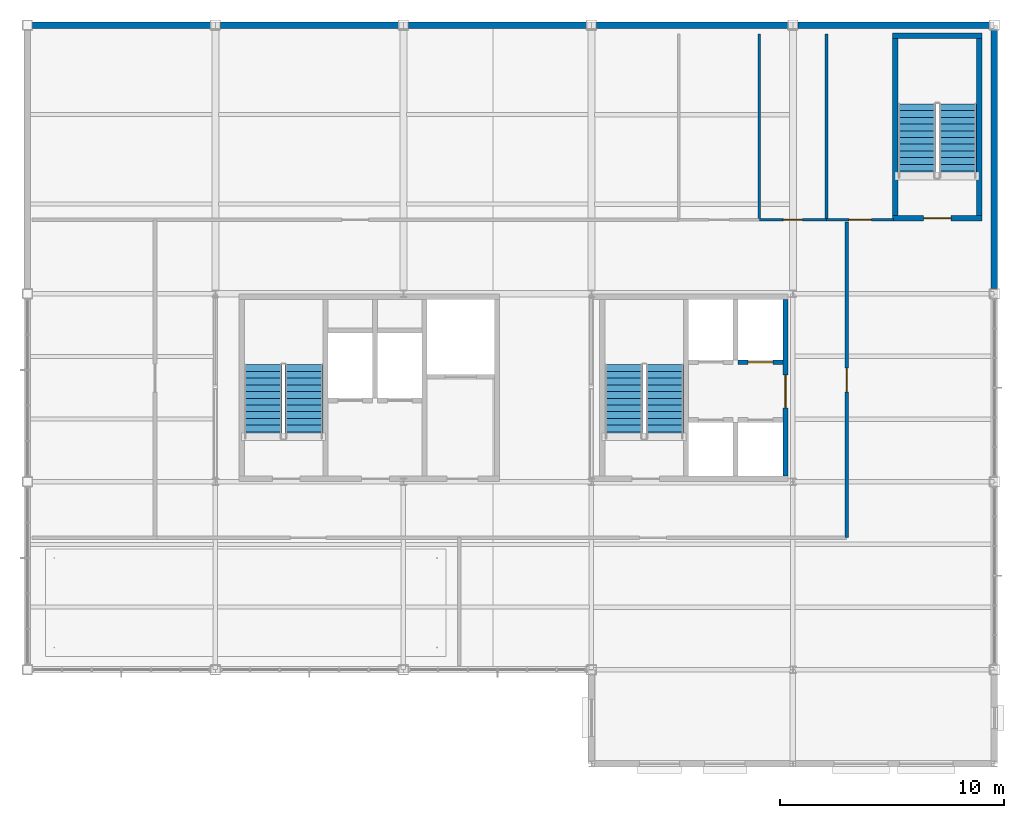
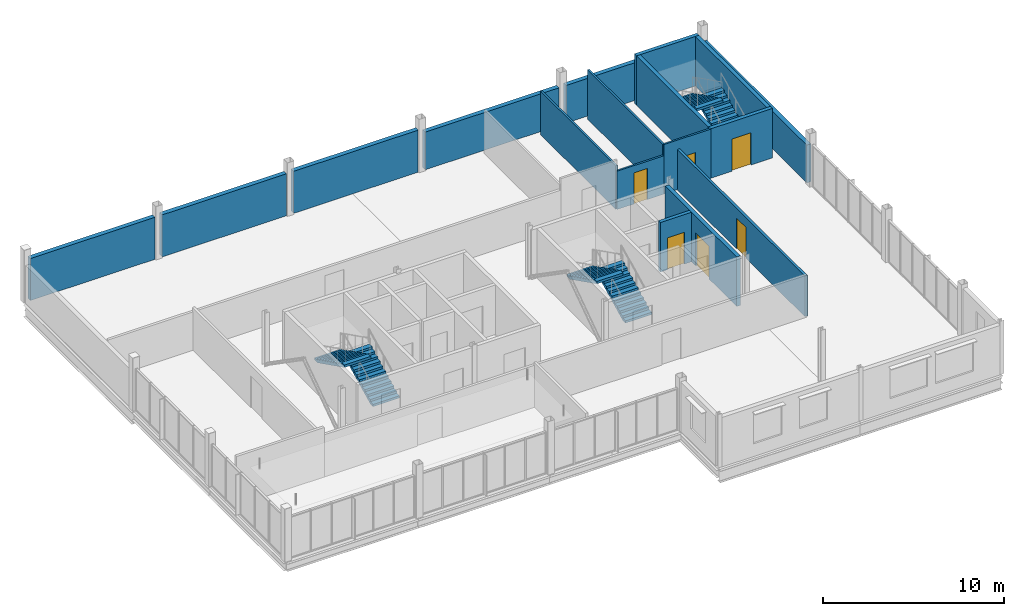
# One storey, part 15 of 19: 17 walls, 6 doors, 6 stair flights, 6 openings, 3 elements without a shape of their own.
"""IFC4 building model written with IfcOpenShell, lengths in metres."""

from ifc_helpers import new_model, si_unit, direction, frame, frame_2d, origin, place, context, subcontext, project, spatial, polyline, rectangle, outline, extrude, material, layer, layer_set, type_object, element, fill, aggregate, save


model = new_model("IFC4")

# Units and contexts
model_context = context("Model", 3, precision=1e-05, world=origin(), true_north=direction((0.0, 1.0)))
body_context = subcontext(model_context, "Body", "Model", "MODEL_VIEW")
ifc_project = project(units=[si_unit("LENGTHUNIT", "METRE"), si_unit("AREAUNIT", "SQUARE_METRE"), si_unit("VOLUMEUNIT", "CUBIC_METRE"), si_unit("PLANEANGLEUNIT", "RADIAN"), si_unit("MASSUNIT", "GRAM", prefix="KILO")], contexts=[model_context])

# Site, building, storey
site_placement = place(None, origin())
site = spatial("IfcSite", under=ifc_project, at=site_placement, CompositionType="ELEMENT")
building_placement = place(site_placement, origin())
building = spatial("IfcBuilding", under=site, at=building_placement, Name="Yukiwa Park Conservatory and Herbarium", CompositionType="ELEMENT")
storey_placement = place(building_placement, frame((0.0, 0.0, 46.800048828125)))
storey = spatial("IfcBuildingStorey", under=building, at=storey_placement, Name="L12", CompositionType="ELEMENT", Elevation=46.800048828125)

# Wall, opening, door
ifc_material_1 = material(Name="Concrete C40", Category="concrete")
ifc_layer_1 = layer(ifc_material_1, 0.219970703125)
ifc_layer_set_1 = layer_set([ifc_layer_1], Name="Concrete C40")
wall_type_1 = type_object("IfcWallType", Name="WL-CORE-RC220", PredefinedType="SHEAR", material=ifc_layer_set_1)
wall_1_placement = place(storey_placement, frame((156.550048828125, 100.139892578125, 0.0), z_axis=(0.0, 0.0, 1.0), x_axis=(1.0, 0.0, 0.0)))
wall_1 = element("IfcWall", 1, at=wall_1_placement, inside=storey, type_object=wall_type_1, Name="L12 core shear wall 722", PredefinedType="SHEAR", context=body_context, shape_type="SweptSolid", body=[
    extrude(rectangle(XDim=2.0, YDim=0.219970703125, at=frame_2d((1.0, 0.0))), origin(), (0.0, 0.0, 1.0), 3.337890625),
])
opening_1_placement = place(wall_1_placement, frame((0.449951171875, 0.0, 0.0)))
opening_1 = element("IfcOpeningElement", 2, at=opening_1_placement, cuts=wall_1, Name="Opening LD-01", PredefinedType="OPENING", context=body_context, shape_type="SweptSolid", body=[
    extrude(rectangle(XDim=1.10009765625, YDim=2.14990234375, at=frame_2d((0.550048828125, 1.074951171875))), frame((0.0, 0.1201171875, 0.0), z_axis=(0.0, -1.0, 0.0), x_axis=(1.0, 0.0, 0.0)), (0.0, 0.0, 1.0), 0.239990234375),
])
ifc_material_2 = material(Name="Steel Q235B", Category="steel")
door_type_1 = type_object("IfcDoorType", Name="DR-LIFT-LD1100", OperationType="SLIDING_TO_LEFT", PredefinedType="DOOR", material=ifc_material_2)
door_1_placement = place(opening_1_placement, origin())
door_1 = element("IfcDoor", 3, at=door_1_placement, inside=storey, type_object=door_type_1, Name="L12 Passenger Lift LP2 sliding landing door", OperationType="SLIDING_TO_LEFT", OverallHeight=2.14990234375, OverallWidth=1.10009765625, PredefinedType="DOOR", context=body_context, shape_type="SweptSolid", body=[
    extrude(rectangle(XDim=1.10009765625, YDim=2.14990234375, at=frame_2d((0.550048828125, 1.074951171875))), frame((0.0, 0.02490234375, 0.0), z_axis=(0.0, -1.0, 0.0), x_axis=(1.0, 0.0, 0.0)), (0.0, 0.0, 1.0), 0.050048828125),
])
fill(opening_1, door_1)

ifc_material_3 = material(Name="Concrete C50", Category="concrete")
ifc_layer_2 = layer(ifc_material_3, 0.239990234375)
ifc_layer_set_2 = layer_set([ifc_layer_2], Name="Concrete C50")
wall_type_2 = type_object("IfcWallType", Name="WL-CORE-RC240", PredefinedType="SHEAR", material=ifc_layer_set_2)
wall_2_placement = place(storey_placement, frame((158.669921875, 95.050048828125, 0.0), z_axis=(0.0, 0.0, 1.0), x_axis=(0.0, 1.0, 0.0)))
wall_2 = element("IfcWall", 4, at=wall_2_placement, inside=storey, type_object=wall_type_2, Name="L12 core shear wall 719", PredefinedType="SHEAR", context=body_context, shape_type="SweptSolid", body=[
    extrude(rectangle(XDim=7.89990234375, YDim=0.239990234375, at=frame_2d((3.949951171875, 0.0))), origin(), (0.0, 0.0, 1.0), 3.337890625),
])
opening_2_placement = place(wall_2_placement, frame((3.050048828125, 0.0, 0.0)))
opening_2 = element("IfcOpeningElement", 5, at=opening_2_placement, cuts=wall_2, Name="Opening FD-07", PredefinedType="OPENING", context=body_context, shape_type="SweptSolid", body=[
    extrude(rectangle(XDim=1.47998046875, YDim=2.219970703125, at=frame_2d((0.739990234375, 1.10986328125))), frame((0.0, 0.1298828125, 0.0), z_axis=(0.0, -1.0, 0.0), x_axis=(1.0, 0.0, 0.0)), (0.0, 0.0, 1.0), 0.260009765625),
])
ifc_material_4 = material(Name="Steel Q235B", Category="steel")
door_type_2 = type_object("IfcDoorType", Name="DR-FIRE-FD60-1500", OperationType="DOUBLE_DOOR_SINGLE_SWING", PredefinedType="DOOR", material=ifc_material_4)
door_2_placement = place(opening_2_placement, origin())
door_2 = element("IfcDoor", 6, at=door_2_placement, inside=storey, type_object=door_type_2, Name="L12 Tower Passenger Lift Lobby double fire door", OperationType="DOUBLE_DOOR_SINGLE_SWING", OverallHeight=2.219970703125, OverallWidth=1.47998046875, PredefinedType="DOOR", context=body_context, shape_type="SweptSolid", body=[
    extrude(rectangle(XDim=1.47998046875, YDim=2.219970703125, at=frame_2d((0.739990234375, 1.10986328125))), frame((0.0, 0.02490234375, 0.0), z_axis=(0.0, -1.0, 0.0), x_axis=(1.0, 0.0, 0.0)), (0.0, 0.0, 1.0), 0.050048828125),
])
fill(opening_2, door_2)

wall_3_placement = place(storey_placement, frame((163.449951171875, 106.580078125, 0.0), z_axis=(0.0, 0.0, 1.0), x_axis=(1.0, 0.0, 0.0)))
wall_3 = element("IfcWall", 7, at=wall_3_placement, inside=storey, type_object=wall_type_2, Name="L12 core shear wall 726", PredefinedType="SHEAR", context=body_context, shape_type="SweptSolid", body=[
    extrude(rectangle(XDim=3.989990234375, YDim=0.239990234375, at=frame_2d((1.9951171875, 0.0))), origin(), (0.0, 0.0, 1.0), 3.337890625),
])
opening_3_placement = place(wall_3_placement, frame((1.39501953125, 0.0, 0.0)))
opening_3 = element("IfcOpeningElement", 8, at=opening_3_placement, cuts=wall_3, Name="Opening SD-01", PredefinedType="OPENING", context=body_context, shape_type="SweptSolid", body=[
    extrude(rectangle(XDim=1.219970703125, YDim=2.179931640625, at=frame_2d((0.60986328125, 1.08984375))), frame((0.0, 0.1298828125, 0.0), z_axis=(0.0, -1.0, 0.0), x_axis=(1.0, 0.0, 0.0)), (0.0, 0.0, 1.0), 0.260009765625),
])
ifc_material_5 = material(Name="Steel Q235B", Category="steel")
door_type_3 = type_object("IfcDoorType", Name="DR-STAIR-FD90-1200", OperationType="SINGLE_SWING_LEFT", PredefinedType="DOOR", material=ifc_material_5)
door_3_placement = place(opening_3_placement, origin())
door_3 = element("IfcDoor", 9, at=door_3_placement, inside=storey, type_object=door_type_3, Name="L12 Stairwell ST-T3 fire door", OperationType="SINGLE_SWING_LEFT", OverallHeight=2.179931640625, OverallWidth=1.219970703125, PredefinedType="DOOR", context=body_context, shape_type="SweptSolid", body=[
    extrude(rectangle(XDim=1.219970703125, YDim=2.179931640625, at=frame_2d((0.60986328125, 1.08984375))), frame((0.0, 0.02490234375, 0.0), z_axis=(0.0, -1.0, 0.0), x_axis=(1.0, 0.0, 0.0)), (0.0, 0.0, 1.0), 0.050048828125),
])
fill(opening_3, door_3)

# Walls
wall_4_placement = place(storey_placement, frame((163.449951171875, 114.719970703125, 0.0), z_axis=(0.0, 0.0, 1.0), x_axis=(1.0, 0.0, 0.0)))
element("IfcWall", 10, at=wall_4_placement, inside=storey, type_object=wall_type_2, Name="L12 core shear wall 727", PredefinedType="SHEAR", context=body_context, shape_type="SweptSolid", body=[
    extrude(rectangle(XDim=3.989990234375, YDim=0.239990234375, at=frame_2d((1.9951171875, 0.0))), origin(), (0.0, 0.0, 1.0), 3.337890625),
])
for number, where, z_axis, x_axis, name in (
    (11, (163.570068359375, 106.699951171875, 0.0), (0.0, 0.0, 1.0), (0.0, 1.0, 0.0), "L12 core shear wall 728"),
    (12, (167.320068359375, 106.699951171875, 0.0), (0.0, 0.0, 1.0), (0.0, 1.0, 0.0), "L12 core shear wall 729"),
):
    element("IfcWall", number, at=place(storey_placement, frame(where, z_axis=z_axis, x_axis=x_axis)), inside=storey, type_object=wall_type_2, Name=name, PredefinedType="SHEAR", context=body_context, shape_type="SweptSolid", body=[
        extrude(rectangle(XDim=7.900146484375, YDim=0.239990234375, at=frame_2d((3.9501953125, 0.0))), origin(), (0.0, 0.0, 1.0), 3.337890625),
    ])
ifc_material_6 = material(Name="Pale Granite Cladding", Category="masonry")
ifc_layer_3 = layer(ifc_material_6, 0.280029296875)
ifc_layer_set_3 = layer_set([ifc_layer_3], Name="Pale Granite Cladding")
wall_type_3 = type_object("IfcWallType", Name="WL-EXT-GRAN-280", PredefinedType="SOLIDWALL", material=ifc_layer_set_3)
wall_5_placement = place(storey_placement, frame((168.0, 103.425048828125, 0.0), z_axis=(0.0, 0.0, 1.0), x_axis=(0.0, 1.0, 0.0)))
element("IfcWall", 13, at=wall_5_placement, inside=storey, type_object=wall_type_3, Name="L12 exterior envelope wall 371", PredefinedType="SOLIDWALL", context=body_context, shape_type="SweptSolid", body=[
    extrude(rectangle(XDim=11.550048828125, YDim=0.280029296875, at=frame_2d((5.77490234375, 0.0))), origin(), (0.0, 0.0, 1.0), 2.5458984375),
])
for number, where, z_axis, x_axis, name in (
    (14, (167.77490234375, 115.199951171875, 0.0), (0.0, 0.0, 1.0), (-1.0, 0.0, 0.0), "L12 exterior envelope wall 372"),
    (15, (158.77490234375, 115.199951171875, 0.0), (0.0, 0.0, 1.0), (-1.0, 0.0, 0.0), "L12 exterior envelope wall 373"),
):
    element("IfcWall", number, at=place(storey_placement, frame(where, z_axis=z_axis, x_axis=x_axis)), inside=storey, type_object=wall_type_3, Name=name, PredefinedType="SOLIDWALL", context=body_context, shape_type="SweptSolid", body=[
        extrude(rectangle(XDim=8.5498046875, YDim=0.280029296875, at=frame_2d((4.27490234375, 0.0))), origin(), (0.0, 0.0, 1.0), 2.5458984375),
    ])
for number, where, z_axis, x_axis, name in (
    (16, (149.77490234375, 115.199951171875, 0.0), (0.0, 0.0, 1.0), (-1.0, 0.0, 0.0), "L12 exterior envelope wall 374"),
    (17, (141.375, 115.199951171875, 0.0), (0.0, 0.0, 1.0), (-1.0, 0.0, 0.0), "L12 exterior envelope wall 375"),
):
    element("IfcWall", number, at=place(storey_placement, frame(where, z_axis=z_axis, x_axis=x_axis)), inside=storey, type_object=wall_type_3, Name=name, PredefinedType="SOLIDWALL", context=body_context, shape_type="SweptSolid", body=[
        extrude(rectangle(XDim=7.949951171875, YDim=0.280029296875, at=frame_2d((3.97509765625, 0.0))), origin(), (0.0, 0.0, 1.0), 2.837890625),
    ])
wall_6_placement = place(storey_placement, frame((132.97509765625, 115.199951171875, 0.0), z_axis=(0.0, 0.0, 1.0), x_axis=(-1.0, 0.0, 0.0)))
element("IfcWall", 18, at=wall_6_placement, inside=storey, type_object=wall_type_3, Name="L12 exterior envelope wall 376", PredefinedType="SOLIDWALL", context=body_context, shape_type="SweptSolid", body=[
    extrude(rectangle(XDim=7.9501953125, YDim=0.280029296875, at=frame_2d((3.97509765625, 0.0))), origin(), (0.0, 0.0, 1.0), 2.837890625),
])

# Wall, opening, door
ifc_material_7 = material(Name="Gypsum Board Partition", Category="gypsum")
ifc_layer_4 = layer(ifc_material_7, 0.159912109375)
ifc_layer_set_4 = layer_set([ifc_layer_4], Name="Gypsum Board Partition")
wall_type_4 = type_object("IfcWallType", Name="WL-PART-GYP-160", PredefinedType="PARTITIONING", material=ifc_layer_set_4)
wall_7_placement = place(storey_placement, frame((161.39990234375, 92.300048828125, 0.0), z_axis=(0.0, 0.0, 1.0), x_axis=(0.0, 1.0, 0.0)))
wall_7 = element("IfcWall", 19, at=wall_7_placement, inside=storey, type_object=wall_type_4, Name="L12 interior partition wall 736", PredefinedType="PARTITIONING", context=body_context, shape_type="SweptSolid", body=[
    extrude(rectangle(XDim=14.099853515625, YDim=0.159912109375, at=frame_2d((7.0498046875, 0.0))), origin(), (0.0, 0.0, 1.0), 2.741943359375),
])
opening_4_placement = place(wall_7_placement, frame((6.5, 0.0, 0.0)))
opening_4 = element("IfcOpeningElement", 20, at=opening_4_placement, cuts=wall_7, Name="Opening ID-11", PredefinedType="OPENING", context=body_context, shape_type="SweptSolid", body=[
    extrude(rectangle(XDim=1.080078125, YDim=2.080078125, at=frame_2d((0.5400390625, 1.0400390625))), frame((0.0, 0.08984375, 0.0), z_axis=(0.0, -1.0, 0.0), x_axis=(1.0, 0.0, 0.0)), (0.0, 0.0, 1.0), 0.179931640625),
])
ifc_material_8 = material(Name="Charred Larch Cladding", Category="wood")
door_type_4 = type_object("IfcDoorType", Name="DR-INT-1100", OperationType="SINGLE_SWING_RIGHT", PredefinedType="DOOR", material=ifc_material_8)
door_4_placement = place(opening_4_placement, origin())
door_4 = element("IfcDoor", 21, at=door_4_placement, inside=storey, type_object=door_type_4, Name="L12 L12 east room door", OperationType="SINGLE_SWING_RIGHT", OverallHeight=2.080078125, OverallWidth=1.080078125, PredefinedType="DOOR", context=body_context, shape_type="SweptSolid", body=[
    extrude(rectangle(XDim=1.080078125, YDim=2.080078125, at=frame_2d((0.5400390625, 1.0400390625))), frame((0.0, 0.02490234375, 0.0), z_axis=(0.0, -1.0, 0.0), x_axis=(1.0, 0.0, 0.0)), (0.0, 0.0, 1.0), 0.050048828125),
])
fill(opening_4, door_4)

ifc_material_9 = material(Name="Gypsum Board Partition", Category="gypsum")
ifc_layer_5 = layer(ifc_material_9, 0.1201171875)
ifc_layer_set_5 = layer_set([ifc_layer_5], Name="Gypsum Board Partition")
wall_type_5 = type_object("IfcWallType", Name="WL-PART-WET-150", PredefinedType="PARTITIONING", material=ifc_layer_set_5)
wall_8_placement = place(storey_placement, frame((157.5, 106.5, 0.0), z_axis=(0.0, 0.0, 1.0), x_axis=(1.0, 0.0, 0.0)))
wall_8 = element("IfcWall", 22, at=wall_8_placement, inside=storey, type_object=wall_type_5, Name="L12 interior partition wall 731", PredefinedType="PARTITIONING", context=body_context, shape_type="SweptSolid", body=[
    extrude(rectangle(XDim=3.0, YDim=0.1201171875, at=frame_2d((1.5, 0.0))), origin(), (0.0, 0.0, 1.0), 2.587890625),
])
opening_5_placement = place(wall_8_placement, frame((1.074951171875, 0.0, 0.0)))
opening_5 = element("IfcOpeningElement", 23, at=opening_5_placement, cuts=wall_8, Name="Opening ID-85", PredefinedType="OPENING", context=body_context, shape_type="SweptSolid", body=[
    extrude(rectangle(XDim=0.85009765625, YDim=2.10009765625, at=frame_2d((0.425048828125, 1.050048828125))), frame((0.0, 0.070068359375, 0.0), z_axis=(0.0, -1.0, 0.0), x_axis=(1.0, 0.0, 0.0)), (0.0, 0.0, 1.0), 0.14013671875),
])
ifc_material_10 = material(Name="Charred Larch Cladding", Category="wood")
door_type_5 = type_object("IfcDoorType", Name="DR-INT-850", OperationType="SINGLE_SWING_RIGHT", PredefinedType="DOOR", material=ifc_material_10)
door_5_placement = place(opening_5_placement, origin())
door_5 = element("IfcDoor", 24, at=door_5_placement, inside=storey, type_object=door_type_5, Name="L12 Staff WC door", OperationType="SINGLE_SWING_RIGHT", OverallHeight=2.10009765625, OverallWidth=0.85009765625, PredefinedType="DOOR", context=body_context, shape_type="SweptSolid", body=[
    extrude(rectangle(XDim=0.85009765625, YDim=2.10009765625, at=frame_2d((0.425048828125, 1.050048828125))), frame((0.0, 0.02490234375, 0.0), z_axis=(0.0, -1.0, 0.0), x_axis=(1.0, 0.0, 0.0)), (0.0, 0.0, 1.0), 0.050048828125),
])
fill(opening_5, door_5)

wall_9_placement = place(storey_placement, frame((160.5, 106.5, 0.0), z_axis=(0.0, 0.0, 1.0), x_axis=(1.0, 0.0, 0.0)))
wall_9 = element("IfcWall", 25, at=wall_9_placement, inside=storey, type_object=wall_type_5, Name="L12 interior partition wall 732", PredefinedType="PARTITIONING", context=body_context, shape_type="SweptSolid", body=[
    extrude(rectangle(XDim=3.0, YDim=0.1201171875, at=frame_2d((1.5, 0.0))), origin(), (0.0, 0.0, 1.0), 3.337890625),
])
opening_6_placement = place(wall_9_placement, frame((1.0, 0.0, 0.0)))
opening_6 = element("IfcOpeningElement", 26, at=opening_6_placement, cuts=wall_9, Name="Opening ID-10", PredefinedType="OPENING", context=body_context, shape_type="SweptSolid", body=[
    extrude(rectangle(XDim=1.0, YDim=2.10009765625, at=frame_2d((0.5, 1.050048828125))), frame((0.0, 0.070068359375, 0.0), z_axis=(0.0, -1.0, 0.0), x_axis=(1.0, 0.0, 0.0)), (0.0, 0.0, 1.0), 0.14013671875),
])
ifc_material_11 = material(Name="Charred Larch Cladding", Category="wood")
door_type_6 = type_object("IfcDoorType", Name="DR-ACC-1000", OperationType="SINGLE_SWING_LEFT", PredefinedType="DOOR", material=ifc_material_11)
door_6_placement = place(opening_6_placement, origin())
door_6 = element("IfcDoor", 27, at=door_6_placement, inside=storey, type_object=door_type_6, Name="L12 Accessible WC door", OperationType="SINGLE_SWING_LEFT", OverallHeight=2.10009765625, OverallWidth=1.0, PredefinedType="DOOR", context=body_context, shape_type="SweptSolid", body=[
    extrude(rectangle(XDim=1.0, YDim=2.10009765625, at=frame_2d((0.5, 1.050048828125))), frame((0.0, 0.02490234375, 0.0), z_axis=(0.0, -1.0, 0.0), x_axis=(1.0, 0.0, 0.0)), (0.0, 0.0, 1.0), 0.050048828125),
])
fill(opening_6, door_6)

# Walls
wall_10_placement = place(storey_placement, frame((157.5, 106.5, 0.0), z_axis=(0.0, 0.0, 1.0), x_axis=(0.0, 1.0, 0.0)))
element("IfcWall", 28, at=wall_10_placement, inside=storey, type_object=wall_type_5, Name="L12 interior partition wall 734", PredefinedType="PARTITIONING", context=body_context, shape_type="SweptSolid", body=[
    extrude(rectangle(XDim=8.300048828125, YDim=0.1201171875, at=frame_2d((4.14990234375, 0.0))), origin(), (0.0, 0.0, 1.0), 2.93798828125),
])
wall_11_placement = place(storey_placement, frame((160.5, 106.5, 0.0), z_axis=(0.0, 0.0, 1.0), x_axis=(0.0, 1.0, 0.0)))
element("IfcWall", 29, at=wall_11_placement, inside=storey, type_object=wall_type_5, Name="L12 interior partition wall 735", PredefinedType="PARTITIONING", context=body_context, shape_type="SweptSolid", body=[
    extrude(rectangle(XDim=8.300048828125, YDim=0.1201171875, at=frame_2d((4.14990234375, 0.0))), origin(), (0.0, 0.0, 1.0), 3.337890625),
])

# Stair, stair flights
ifc_material_12 = material(Name="Concrete C40", Category="concrete")
stair_type_1 = type_object("IfcStairType", Name="ST-DOGLEG-ST-T1", PredefinedType="HALF_TURN_STAIR", material=ifc_material_12)
stair_1_placement = place(storey_placement, origin())
stair_1 = element("IfcStair", 30, at=stair_1_placement, inside=storey, type_object=stair_type_1, Name="L12 Protected Smoke-Proof Stair ST-T1", PredefinedType="HALF_TURN_STAIR")
ifc_material_13 = material(Name="Concrete C40", Category="concrete")
stair_flight_type = type_object("IfcStairFlightType", Name="STF-RC-1680", PredefinedType="STRAIGHT", material=ifc_material_13)
stair_flight_1_placement = place(storey_placement, frame((137.159912109375, 96.72998046875, 0.0), z_axis=(0.0, 0.0, 1.0), x_axis=(0.0, 1.0, 0.0)))
stair_flight_1 = element("IfcStairFlight", 31, at=stair_flight_1_placement, type_object=stair_flight_type, Name="ST-T1 flight 1", NumberOfRisers=12, NumberOfTreads=11, PredefinedType="STRAIGHT", RiserHeight=0.15, TreadLength=0.3, context=body_context, shape_type="SweptSolid", body=[
    extrude(outline(polyline([(0.0, 0.0), (0.0, 0.14990234375), (0.300048828125, 0.14990234375), (0.300048828125, 0.300048828125), (0.60009765625, 0.300048828125), (0.60009765625, 0.449951171875), (0.89990234375, 0.449951171875), (0.89990234375, 0.60009765625), (1.199951171875, 0.60009765625), (1.199951171875, 0.75), (1.5, 0.75), (1.5, 0.89990234375), (1.800048828125, 0.89990234375), (1.800048828125, 1.050048828125), (2.10009765625, 1.050048828125), (2.10009765625, 1.199951171875), (2.39990234375, 1.199951171875), (2.39990234375, 1.35009765625), (2.699951171875, 1.35009765625), (2.699951171875, 1.5), (3.0, 1.5), (3.0, 1.64990234375), (3.300048828125, 1.64990234375), (3.300048828125, 1.800048828125), (3.300048828125, 1.482421875), (0.335205078125, 0.0), (0.0, 0.0)])), frame((0.0, 0.83984375, 0.0), z_axis=(0.0, -1.0, 0.0), x_axis=(1.0, 0.0, 0.0)), (0.0, 0.0, 1.0), 1.679931640625),
])
stair_flight_2_placement = place(storey_placement, frame((135.330078125, 100.030029296875, 1.800048828125), z_axis=(0.0, 0.0, 1.0), x_axis=(0.0, -1.0, 0.0)))
stair_flight_2 = element("IfcStairFlight", 32, at=stair_flight_2_placement, type_object=stair_flight_type, Name="ST-T1 flight 2", NumberOfRisers=12, NumberOfTreads=11, PredefinedType="STRAIGHT", RiserHeight=0.15, TreadLength=0.3, context=body_context, shape_type="SweptSolid", body=[
    extrude(outline(polyline([(0.0, 0.0), (0.0, 0.14990234375), (0.300048828125, 0.14990234375), (0.300048828125, 0.300048828125), (0.60009765625, 0.300048828125), (0.60009765625, 0.449951171875), (0.89990234375, 0.449951171875), (0.89990234375, 0.60009765625), (1.199951171875, 0.60009765625), (1.199951171875, 0.75), (1.5, 0.75), (1.5, 0.89990234375), (1.800048828125, 0.89990234375), (1.800048828125, 1.050048828125), (2.10009765625, 1.050048828125), (2.10009765625, 1.199951171875), (2.39990234375, 1.199951171875), (2.39990234375, 1.35009765625), (2.699951171875, 1.35009765625), (2.699951171875, 1.5), (3.0, 1.5), (3.0, 1.64990234375), (3.300048828125, 1.64990234375), (3.300048828125, 1.800048828125), (3.300048828125, 1.482421875), (0.335205078125, 0.0), (0.0, 0.0)])), frame((0.0, 0.83984375, 0.0), z_axis=(0.0, -1.0, 0.0), x_axis=(1.0, 0.0, 0.0)), (0.0, 0.0, 1.0), 1.679931640625),
])
aggregate(stair_1, [stair_flight_1, stair_flight_2])

ifc_material_14 = material(Name="Concrete C40", Category="concrete")
stair_type_2 = type_object("IfcStairType", Name="ST-DOGLEG-ST-T2", PredefinedType="HALF_TURN_STAIR", material=ifc_material_14)
stair_2_placement = place(storey_placement, origin())
stair_2 = element("IfcStair", 33, at=stair_2_placement, inside=storey, type_object=stair_type_2, Name="L12 Protected Smoke-Proof Stair ST-T2", PredefinedType="HALF_TURN_STAIR")
stair_flight_3_placement = place(storey_placement, frame((153.27001953125, 96.72998046875, 0.0), z_axis=(0.0, 0.0, 1.0), x_axis=(0.0, 1.0, 0.0)))
stair_flight_3 = element("IfcStairFlight", 34, at=stair_flight_3_placement, type_object=stair_flight_type, Name="ST-T2 flight 1", NumberOfRisers=12, NumberOfTreads=11, PredefinedType="STRAIGHT", RiserHeight=0.15, TreadLength=0.3, context=body_context, shape_type="SweptSolid", body=[
    extrude(outline(polyline([(0.0, 0.0), (0.0, 0.14990234375), (0.300048828125, 0.14990234375), (0.300048828125, 0.300048828125), (0.60009765625, 0.300048828125), (0.60009765625, 0.449951171875), (0.89990234375, 0.449951171875), (0.89990234375, 0.60009765625), (1.199951171875, 0.60009765625), (1.199951171875, 0.75), (1.5, 0.75), (1.5, 0.89990234375), (1.800048828125, 0.89990234375), (1.800048828125, 1.050048828125), (2.10009765625, 1.050048828125), (2.10009765625, 1.199951171875), (2.39990234375, 1.199951171875), (2.39990234375, 1.35009765625), (2.699951171875, 1.35009765625), (2.699951171875, 1.5), (3.0, 1.5), (3.0, 1.64990234375), (3.300048828125, 1.64990234375), (3.300048828125, 1.800048828125), (3.300048828125, 1.482421875), (0.335205078125, 0.0), (0.0, 0.0)])), frame((0.0, 0.83984375, 0.0), z_axis=(0.0, -1.0, 0.0), x_axis=(1.0, 0.0, 0.0)), (0.0, 0.0, 1.0), 1.679931640625),
])
stair_flight_4_placement = place(storey_placement, frame((151.43994140625, 100.030029296875, 1.800048828125), z_axis=(0.0, 0.0, 1.0), x_axis=(0.0, -1.0, 0.0)))
stair_flight_4 = element("IfcStairFlight", 35, at=stair_flight_4_placement, type_object=stair_flight_type, Name="ST-T2 flight 2", NumberOfRisers=12, NumberOfTreads=11, PredefinedType="STRAIGHT", RiserHeight=0.15, TreadLength=0.3, context=body_context, shape_type="SweptSolid", body=[
    extrude(outline(polyline([(0.0, 0.0), (0.0, 0.14990234375), (0.300048828125, 0.14990234375), (0.300048828125, 0.300048828125), (0.60009765625, 0.300048828125), (0.60009765625, 0.449951171875), (0.89990234375, 0.449951171875), (0.89990234375, 0.60009765625), (1.199951171875, 0.60009765625), (1.199951171875, 0.75), (1.5, 0.75), (1.5, 0.89990234375), (1.800048828125, 0.89990234375), (1.800048828125, 1.050048828125), (2.10009765625, 1.050048828125), (2.10009765625, 1.199951171875), (2.39990234375, 1.199951171875), (2.39990234375, 1.35009765625), (2.699951171875, 1.35009765625), (2.699951171875, 1.5), (3.0, 1.5), (3.0, 1.64990234375), (3.300048828125, 1.64990234375), (3.300048828125, 1.800048828125), (3.300048828125, 1.482421875), (0.335205078125, 0.0), (0.0, 0.0)])), frame((0.0, 0.83984375, 0.0), z_axis=(0.0, -1.0, 0.0), x_axis=(1.0, 0.0, 0.0)), (0.0, 0.0, 1.0), 1.679931640625),
])
aggregate(stair_2, [stair_flight_3, stair_flight_4])

ifc_material_15 = material(Name="Concrete C40", Category="concrete")
stair_type_3 = type_object("IfcStairType", Name="ST-DOGLEG-ST-T3", PredefinedType="HALF_TURN_STAIR", material=ifc_material_15)
stair_3_placement = place(storey_placement, origin())
stair_3 = element("IfcStair", 36, at=stair_3_placement, inside=storey, type_object=stair_type_3, Name="L12 Protected Smoke-Proof Stair ST-T3", PredefinedType="HALF_TURN_STAIR")
stair_flight_5_placement = place(storey_placement, frame((166.360107421875, 108.3798828125, 0.0), z_axis=(0.0, 0.0, 1.0), x_axis=(0.0, 1.0, 0.0)))
stair_flight_5 = element("IfcStairFlight", 37, at=stair_flight_5_placement, type_object=stair_flight_type, Name="ST-T3 flight 1", NumberOfRisers=12, NumberOfTreads=11, PredefinedType="STRAIGHT", RiserHeight=0.15, TreadLength=0.3, context=body_context, shape_type="SweptSolid", body=[
    extrude(outline(polyline([(0.0, 0.0), (0.0, 0.14990234375), (0.300048828125, 0.14990234375), (0.300048828125, 0.300048828125), (0.60009765625, 0.300048828125), (0.60009765625, 0.449951171875), (0.89990234375, 0.449951171875), (0.89990234375, 0.60009765625), (1.199951171875, 0.60009765625), (1.199951171875, 0.75), (1.5, 0.75), (1.5, 0.89990234375), (1.800048828125, 0.89990234375), (1.800048828125, 1.050048828125), (2.10009765625, 1.050048828125), (2.10009765625, 1.199951171875), (2.39990234375, 1.199951171875), (2.39990234375, 1.35009765625), (2.699951171875, 1.35009765625), (2.699951171875, 1.5), (3.0, 1.5), (3.0, 1.64990234375), (3.300048828125, 1.64990234375), (3.300048828125, 1.800048828125), (3.300048828125, 1.482421875), (0.335205078125, 0.0), (0.0, 0.0)])), frame((0.0, 0.83984375, 0.0), z_axis=(0.0, -1.0, 0.0), x_axis=(1.0, 0.0, 0.0)), (0.0, 0.0, 1.0), 1.679931640625),
])
stair_flight_6_placement = place(storey_placement, frame((164.530029296875, 111.679931640625, 1.800048828125), z_axis=(0.0, 0.0, 1.0), x_axis=(0.0, -1.0, 0.0)))
stair_flight_6 = element("IfcStairFlight", 38, at=stair_flight_6_placement, type_object=stair_flight_type, Name="ST-T3 flight 2", NumberOfRisers=12, NumberOfTreads=11, PredefinedType="STRAIGHT", RiserHeight=0.15, TreadLength=0.3, context=body_context, shape_type="SweptSolid", body=[
    extrude(outline(polyline([(0.0, 0.0), (0.0, 0.14990234375), (0.300048828125, 0.14990234375), (0.300048828125, 0.300048828125), (0.60009765625, 0.300048828125), (0.60009765625, 0.449951171875), (0.89990234375, 0.449951171875), (0.89990234375, 0.60009765625), (1.199951171875, 0.60009765625), (1.199951171875, 0.75), (1.5, 0.75), (1.5, 0.89990234375), (1.800048828125, 0.89990234375), (1.800048828125, 1.050048828125), (2.10009765625, 1.050048828125), (2.10009765625, 1.199951171875), (2.39990234375, 1.199951171875), (2.39990234375, 1.35009765625), (2.699951171875, 1.35009765625), (2.699951171875, 1.5), (3.0, 1.5), (3.0, 1.64990234375), (3.300048828125, 1.64990234375), (3.300048828125, 1.800048828125), (3.300048828125, 1.482421875), (0.335205078125, 0.0), (0.0, 0.0)])), frame((0.0, 0.83984375, 0.0), z_axis=(0.0, -1.0, 0.0), x_axis=(1.0, 0.0, 0.0)), (0.0, 0.0, 1.0), 1.679931640625),
])
aggregate(stair_3, [stair_flight_5, stair_flight_6])

save(model, "model.ifc")
